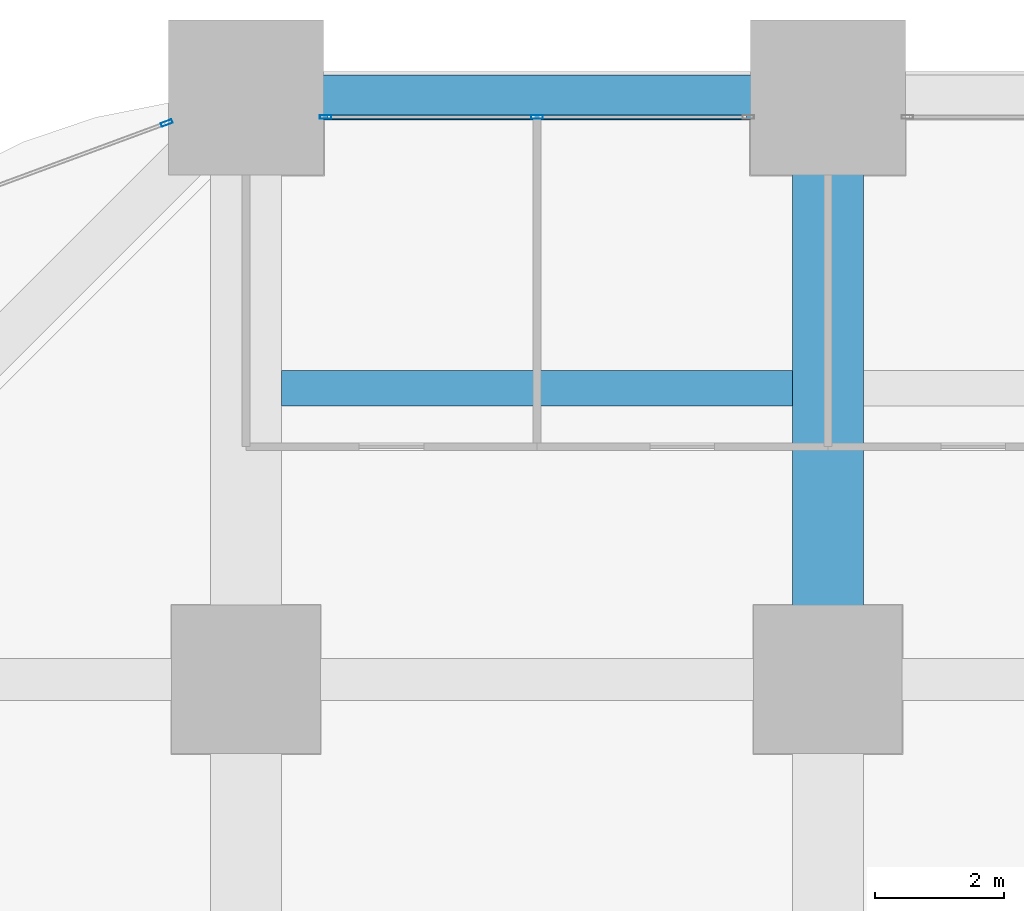
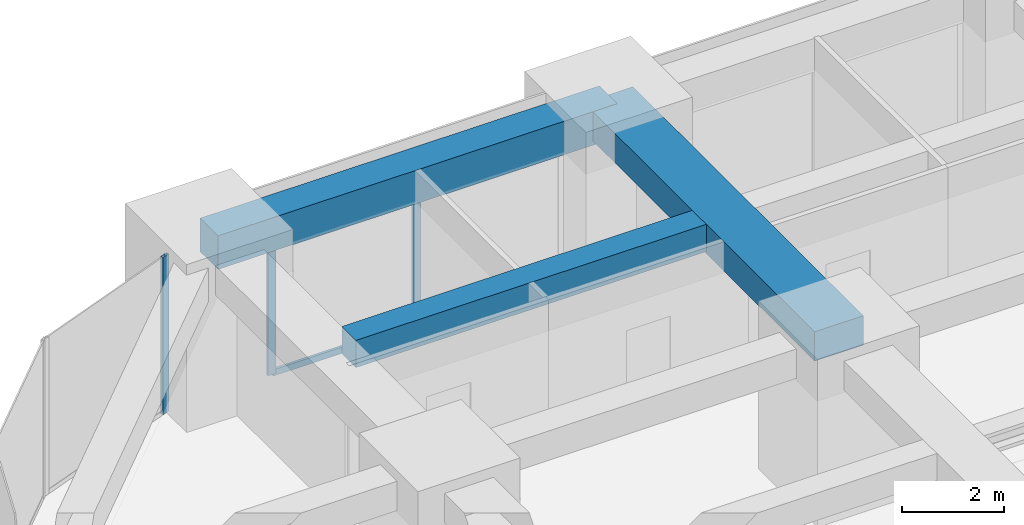
# One storey, part 28 of 45: 4 members, 3 beams, 2 elements without a shape of their own.
"""IFC4 building model written with IfcOpenShell, lengths in metres."""

from ifc_helpers import new_model, si_unit, direction, frame, origin, origin_2d, place, context, subcontext, project, spatial, rectangle, hollow_rectangle, extrude, material, material_profile, profile_set, type_object, element, aggregate, save


model = new_model("IFC4")

# Units and contexts
model_context = context("Model", 3, precision=1e-05, world=origin(), true_north=direction((0.0, 1.0)))
body_context = subcontext(model_context, "Body", "Model", "MODEL_VIEW")
ifc_project = project(units=[si_unit("LENGTHUNIT", "METRE"), si_unit("AREAUNIT", "SQUARE_METRE"), si_unit("VOLUMEUNIT", "CUBIC_METRE"), si_unit("PLANEANGLEUNIT", "RADIAN"), si_unit("MASSUNIT", "GRAM", prefix="KILO")], contexts=[model_context])

# Site, building, storey
site_placement = place(None, origin())
site = spatial("IfcSite", under=ifc_project, at=site_placement, CompositionType="ELEMENT")
building_placement = place(site_placement, origin())
building = spatial("IfcBuilding", under=site, at=building_placement, Name="Zorevar Civic Tower", CompositionType="ELEMENT")
storey_placement = place(building_placement, frame((0.0, 0.0, 39.800048828125)))
storey = spatial("IfcBuildingStorey", under=building, at=storey_placement, Name="L09", CompositionType="ELEMENT", Elevation=39.800048828125)

# Beams
ifc_material_1 = material(Name="Concrete C50/60", Category="concrete")
ifc_material_profile_1 = material_profile(ifc_material_1, rectangle(XDim=1.10009765625, YDim=0.699951171875, at=origin_2d()), Name="RC 1100x700")
ifc_profile_set_1 = profile_set([ifc_material_profile_1], Name="Concrete C50/60")
beam_type_1 = type_object("IfcBeamType", Name="Beam RC 1100x700", PredefinedType="BEAM", material=ifc_profile_set_1)
beam_1_placement = place(storey_placement, frame((18.0, 45.0, 3.39990234375), z_axis=(0.0, 1.0, 0.0), x_axis=(-1.0, 0.0, 0.0)))
element("IfcBeam", 1, at=beam_1_placement, inside=storey, type_object=beam_type_1, Name="Girder L10", PredefinedType="BEAM", context=body_context, shape_type="SweptSolid", body=[
    extrude(rectangle(XDim=1.10009765625, YDim=0.699951171875, at=origin_2d()), origin(), (0.0, 0.0, 1.0), 9.0),
])
ifc_material_2 = material(Name="Concrete C50/60", Category="concrete")
ifc_material_profile_2 = material_profile(ifc_material_2, rectangle(XDim=0.550048828125, YDim=0.64990234375, at=origin_2d()), Name="RC 550x650")
ifc_profile_set_2 = profile_set([ifc_material_profile_2], Name="Concrete C50/60")
beam_type_2 = type_object("IfcBeamType", Name="Beam RC 550x650", PredefinedType="BEAM", material=ifc_profile_set_2)
beam_2_placement = place(storey_placement, frame((9.550048828125, 49.5, 3.425048828125), z_axis=(1.0, 0.0, 0.0), x_axis=(0.0, 1.0, 0.0)))
element("IfcBeam", 2, at=beam_2_placement, inside=storey, type_object=beam_type_2, Name="Secondary beam L10", PredefinedType="BEAM", context=body_context, shape_type="SweptSolid", body=[
    extrude(rectangle(XDim=0.550048828125, YDim=0.64990234375, at=origin_2d()), origin(), (0.0, 0.0, 1.0), 7.89990234375),
])

# Curtain wall, members
ifc_material_3 = material(Name="Dark grey solar-control glass in black aluminium frame", Category="aluminium")
curtain_wall_type = type_object("IfcCurtainWallType", Name="Curtain wall CW2 low zone", PredefinedType="NOTDEFINED", material=ifc_material_3)
curtain_wall_1_placement = place(storey_placement, origin())
curtain_wall_1 = element("IfcCurtainWall", 3, at=curtain_wall_1_placement, inside=storey, type_object=curtain_wall_type, Name="CW2 L09", PredefinedType="NOTDEFINED")
ifc_material_4 = material(Name="Aluminium, black anodised", Category="aluminium")
ifc_material_profile_3 = material_profile(ifc_material_4, hollow_rectangle(XDim=0.06005859375, YDim=0.179931640625, WallThickness=0.00390625, at=origin_2d()), Name="AL 180x60x4")
ifc_profile_set_3 = profile_set([ifc_material_profile_3], Name="Aluminium, black anodised")
member_type_1 = type_object("IfcMemberType", Name="CW2 mullion AL 180x60x4", PredefinedType="MULLION", material=ifc_profile_set_3)
member_1_placement = place(storey_placement, frame((10.22998046875, 53.699951171875, 0.0), z_axis=(0.0, 0.0, 1.0), x_axis=(0.0, 1.0, 0.0)))
member_1 = element("IfcMember", 4, at=member_1_placement, type_object=member_type_1, Name="CW2 mullion 1", PredefinedType="MULLION", context=body_context, shape_type="SweptSolid", body=[
    extrude(hollow_rectangle(XDim=0.06005859375, YDim=0.179931640625, WallThickness=0.00390625, at=origin_2d()), origin(), (0.0, 0.0, 1.0), 2.949951171875),
])
member_2_placement = place(storey_placement, frame((13.5, 53.699951171875, 0.06005859375), z_axis=(0.0, 0.0, 1.0), x_axis=(0.0, 1.0, 0.0)))
member_2 = element("IfcMember", 5, at=member_2_placement, type_object=member_type_1, Name="CW2 mullion 2", PredefinedType="MULLION", context=body_context, shape_type="SweptSolid", body=[
    extrude(hollow_rectangle(XDim=0.06005859375, YDim=0.179931640625, WallThickness=0.00390625, at=origin_2d()), origin(), (0.0, 0.0, 1.0), 2.889892578125),
])

# Curtain wall, member
curtain_wall_2_placement = place(storey_placement, origin())
curtain_wall_2 = element("IfcCurtainWall", 6, at=curtain_wall_2_placement, inside=storey, type_object=curtain_wall_type, Name="CW2 L09", PredefinedType="NOTDEFINED")
member_3_placement = place(storey_placement, frame((7.77197265625, 53.6064453125, 0.0), z_axis=(0.0, 0.0, 1.0), x_axis=(0.346704012033, -0.937974588163, 0.0)))
member_3 = element("IfcMember", 7, at=member_3_placement, type_object=member_type_1, Name="CW2 mullion 1", PredefinedType="MULLION", context=body_context, shape_type="SweptSolid", body=[
    extrude(hollow_rectangle(XDim=0.06005859375, YDim=0.179931640625, WallThickness=0.00390625, at=origin_2d()), origin(), (0.0, 0.0, 1.0), 3.75),
])
aggregate(curtain_wall_2, [member_3])

# Member
ifc_material_5 = material(Name="Aluminium, black anodised", Category="aluminium")
ifc_material_profile_4 = material_profile(ifc_material_5, hollow_rectangle(XDim=0.06005859375, YDim=0.14990234375, WallThickness=0.00390625, at=origin_2d()), Name="AL 150x60x4")
ifc_profile_set_4 = profile_set([ifc_material_profile_4], Name="Aluminium, black anodised")
member_type_2 = type_object("IfcMemberType", Name="CW2 transom AL 150x60x4", PredefinedType="USERDEFINED", material=ifc_profile_set_4)
member_4_placement = place(storey_placement, frame((10.260009765625, 53.699951171875, 0.030029296875), z_axis=(1.0, 0.0, 0.0), x_axis=(0.0, 1.0, 0.0)))
member_4 = element("IfcMember", 8, at=member_4_placement, type_object=member_type_2, Name="CW2 sill transom", ObjectType="TRANSOM", PredefinedType="USERDEFINED", context=body_context, shape_type="SweptSolid", body=[
    extrude(hollow_rectangle(XDim=0.06005859375, YDim=0.14990234375, WallThickness=0.00390625, at=origin_2d()), origin(), (0.0, 0.0, 1.0), 6.47998046875),
])

aggregate(curtain_wall_1, [member_1, member_2, member_4])

# Beam
ifc_material_6 = material(Name="Concrete C50/60", Category="concrete")
ifc_material_profile_5 = material_profile(ifc_material_6, rectangle(XDim=0.699951171875, YDim=0.800048828125, at=origin_2d()), Name="RC 700x800")
ifc_profile_set_5 = profile_set([ifc_material_profile_5], Name="Concrete C50/60")
beam_type_3 = type_object("IfcBeamType", Name="Edge beam RC 700x800", PredefinedType="SPANDREL", material=ifc_profile_set_5)
beam_3_placement = place(storey_placement, frame((9.0, 54.0, 3.349853515625), z_axis=(1.0, 0.0, 0.0), x_axis=(0.0, 1.0, 0.0)))
element("IfcBeam", 9, at=beam_3_placement, inside=storey, type_object=beam_type_3, Name="Edge beam L10", PredefinedType="SPANDREL", context=body_context, shape_type="SweptSolid", body=[
    extrude(rectangle(XDim=0.699951171875, YDim=0.800048828125, at=origin_2d()), origin(), (0.0, 0.0, 1.0), 9.0),
])

save(model, "model.ifc")
